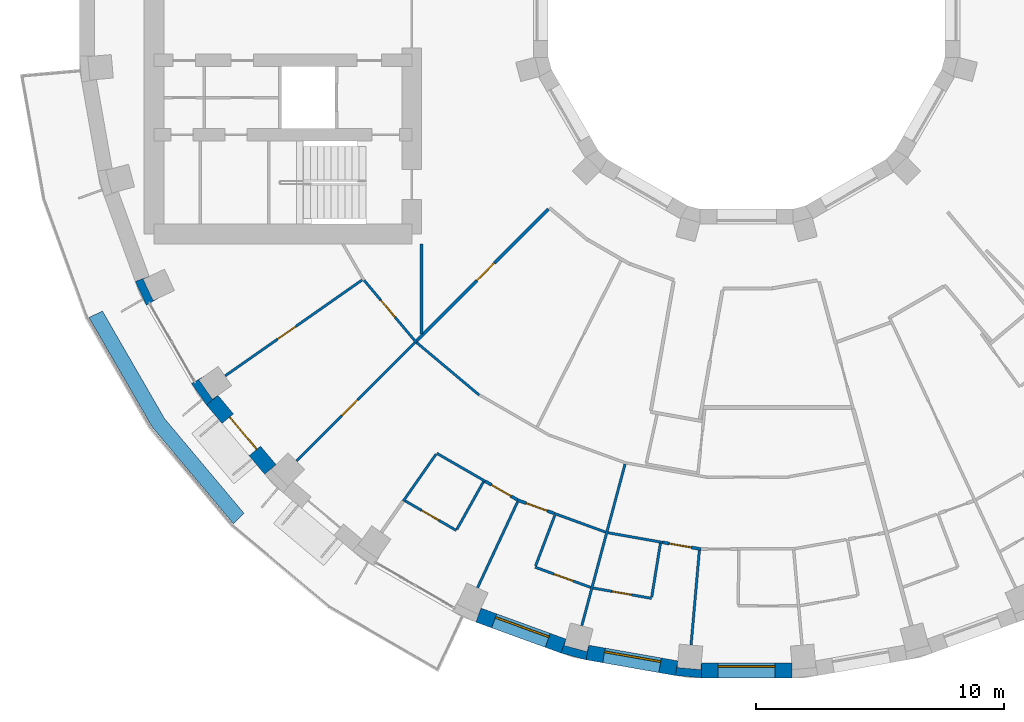
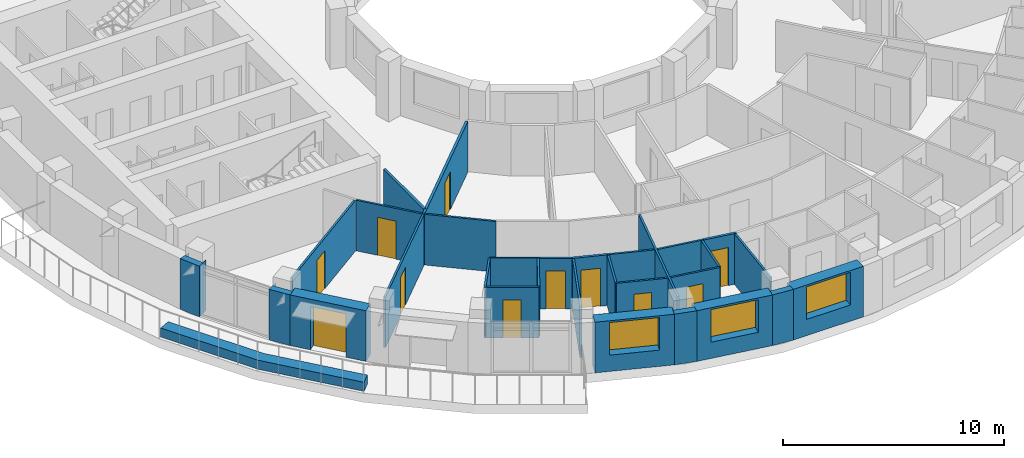
# One storey, part 4 of 16: 31 walls, 11 doors, 3 windows, 14 openings.
"""IFC4 building model written with IfcOpenShell, lengths in metres."""

from ifc_helpers import new_model, si_unit, direction, frame, frame_2d, origin, place, context, subcontext, project, spatial, polyline, rectangle, outline, extrude, material, layer, layer_set, type_object, element, fill, save


model = new_model("IFC4")

# Units and contexts
model_context = context("Model", 3, precision=1e-05, world=origin(), true_north=direction((0.0, 1.0)))
body_context = subcontext(model_context, "Body", "Model", "MODEL_VIEW")
ifc_project = project(units=[si_unit("LENGTHUNIT", "METRE"), si_unit("AREAUNIT", "SQUARE_METRE"), si_unit("VOLUMEUNIT", "CUBIC_METRE"), si_unit("PLANEANGLEUNIT", "RADIAN"), si_unit("MASSUNIT", "GRAM", prefix="KILO")], contexts=[model_context])

# Site, building, storey
site_placement = place(None, origin())
site = spatial("IfcSite", under=ifc_project, at=site_placement, CompositionType="ELEMENT")
building_placement = place(site_placement, origin())
building = spatial("IfcBuilding", under=site, at=building_placement, Name="Saqina Gate Tower", CompositionType="ELEMENT")
storey_placement = place(building_placement, frame((0.0, 0.0, 124.89990234375)))
storey = spatial("IfcBuildingStorey", under=building, at=storey_placement, Name="L35", CompositionType="ELEMENT", Elevation=124.89990234375)

# Walls
ifc_material_1 = material(Name="Brick masonry (buff)", Category="masonry")
wall_type_1 = type_object("IfcWallType", Name="BRICK PIER COPING BUFF", PredefinedType="SOLIDWALL", material=ifc_material_1)
wall_1_placement = place(storey_placement, origin())
element("IfcWall", 1, at=wall_1_placement, inside=storey, type_object=wall_type_1, Name="Pier cap L35 column 21", PredefinedType="SOLIDWALL", context=body_context, shape_type="SweptSolid", body=[
    extrude(outline(polyline([(-24.6513671875, -10.913330078125), (-24.205810546875, -11.869140625), (-23.68603515625, -11.569091796875), (-23.9296875, -11.6826171875), (-24.331298828125, -10.82177734375), (-24.08740234375, -10.7080078125), (-24.6513671875, -10.913330078125)])), origin(), (0.0, 0.0, 1.0), 2.800048828125),
])
wall_2_placement = place(storey_placement, origin())
element("IfcWall", 2, at=wall_2_placement, inside=storey, type_object=wall_type_1, Name="Pier cap L35 column 22", PredefinedType="SOLIDWALL", context=body_context, shape_type="SweptSolid", body=[
    extrude(outline(polyline([(-21.77685546875, -15.89208984375), (-21.317138671875, -15.50634765625), (-21.53759765625, -15.66064453125), (-22.08251953125, -14.88232421875), (-21.862060546875, -14.728271484375), (-22.3818359375, -15.0283203125), (-21.77685546875, -15.89208984375)])), origin(), (0.0, 0.0, 1.0), 2.800048828125),
])
wall_3_placement = place(storey_placement, origin())
element("IfcWall", 3, at=wall_3_placement, inside=storey, type_object=wall_type_1, Name="Pier cap L35 column 26", PredefinedType="SOLIDWALL", context=body_context, shape_type="SweptSolid", body=[
    extrude(outline(polyline([(-7.485595703125, -25.89892578125), (-6.466796875, -26.171875), (-6.36279296875, -25.5810546875), (-6.43212890625, -25.8408203125), (-7.349853515625, -25.5947265625), (-7.2802734375, -25.335205078125), (-7.485595703125, -25.89892578125)])), origin(), (0.0, 0.0, 1.0), 2.800048828125),
])
wall_4_placement = place(storey_placement, origin())
element("IfcWall", 4, at=wall_4_placement, inside=storey, type_object=wall_type_1, Name="Pier cap L35 column 27", PredefinedType="SOLIDWALL", context=body_context, shape_type="SweptSolid", body=[
    extrude(outline(polyline([(-2.87451171875, -26.805419921875), (-1.823974609375, -26.897216796875), (-1.823974609375, -26.29736328125), (-1.847412109375, -26.565185546875), (-2.793701171875, -26.482421875), (-2.770263671875, -26.214599609375), (-2.87451171875, -26.805419921875)])), origin(), (0.0, 0.0, 1.0), 2.800048828125),
])

# Wall, opening, door
ifc_material_2 = material(Name="Brick masonry (buff)", Category="masonry")
ifc_layer_1 = layer(ifc_material_2, 0.60009765625)
ifc_layer_set_1 = layer_set([ifc_layer_1], Name="FW-BRICK-BUFF")
wall_type_2 = type_object("IfcWallType", Name="FW-BRICK-BUFF", PredefinedType="SOLIDWALL", material=ifc_layer_set_1)
wall_5_placement = place(storey_placement, frame((-21.547119140625, -15.69921875, 0.0), z_axis=(0.0, 0.0, 1.0), x_axis=(0.642774476932, -0.766055462616, 0.0)))
wall_5 = element("IfcWall", 5, at=wall_5_placement, inside=storey, type_object=wall_type_2, Name="Facade wall L35 facet 22", PredefinedType="SOLIDWALL", context=body_context, shape_type="SweptSolid", body=[
    extrude(rectangle(XDim=3.647705078125, YDim=0.60009765625, at=frame_2d((1.82373046875, 0.0))), origin(), (0.0, 0.0, 1.0), 2.800048828125),
])
opening_1_placement = place(wall_5_placement, frame((0.973876953125, 0.0, 0.0)))
opening_1 = element("IfcOpeningElement", 6, at=opening_1_placement, cuts=wall_5, Name="Opening G10-D80", PredefinedType="OPENING", context=body_context, shape_type="SweptSolid", body=[
    extrude(rectangle(XDim=1.699951171875, YDim=2.39990234375, at=frame_2d((0.85009765625, 1.199951171875))), frame((0.0, 0.31201171875, 0.0), z_axis=(0.0, -1.0, 0.0), x_axis=(1.0, 0.0, 0.0)), (0.0, 0.0, 1.0), 0.6240234375),
])
ifc_material_3 = material(Name="Aluminium glazing", Category="aluminium")
door_type_1 = type_object("IfcDoorType", Name="GD-B", OperationType="DOUBLE_DOOR_SINGLE_SWING", PredefinedType="DOOR", material=ifc_material_3)
door_1_placement = place(opening_1_placement, frame((1.699951171875, 0.0, 0.0), z_axis=(0.0, 0.0, 1.0), x_axis=(-1.0, 0.0, 0.0)))
door_1 = element("IfcDoor", 7, at=door_1_placement, inside=storey, type_object=door_type_1, Name="Terrace door L35 facet 22", OperationType="DOUBLE_DOOR_SINGLE_SWING", OverallHeight=2.39990234375, OverallWidth=1.699951171875, PredefinedType="DOOR", context=body_context, shape_type="SweptSolid", body=[
    extrude(rectangle(XDim=1.699951171875, YDim=2.39990234375, at=frame_2d((0.85009765625, 1.199951171875))), frame((0.0, -0.0751953125, 0.0), z_axis=(0.0, -1.0, 0.0), x_axis=(1.0, 0.0, 0.0)), (0.0, 0.0, 1.0), 0.050048828125),
])
fill(opening_1, door_1)

# Wall, opening, window
wall_6_placement = place(storey_placement, frame((-10.810791015625, -24.369384765625, 0.0), z_axis=(0.0, 0.0, 1.0), x_axis=(0.939703505393, -0.341990236633, 0.0)))
wall_6 = element("IfcWall", 8, at=wall_6_placement, inside=storey, type_object=wall_type_2, Name="Facade wall L35 facet 25", PredefinedType="SOLIDWALL", context=body_context, shape_type="SweptSolid", body=[
    extrude(rectangle(XDim=3.64794921875, YDim=0.60009765625, at=frame_2d((1.823974609375, 0.0))), origin(), (0.0, 0.0, 1.0), 2.800048828125),
])
opening_2_placement = place(wall_6_placement, frame((0.673828125, 0.0, 0.89990234375)))
opening_2 = element("IfcOpeningElement", 9, at=opening_2_placement, cuts=wall_6, Name="Opening G10-W14", PredefinedType="OPENING", context=body_context, shape_type="SweptSolid", body=[
    extrude(rectangle(XDim=2.300048828125, YDim=1.800048828125, at=frame_2d((1.14990234375, 0.89990234375))), frame((0.0, 0.31201171875, 0.0), z_axis=(0.0, -1.0, 0.0), x_axis=(1.0, 0.0, 0.0)), (0.0, 0.0, 1.0), 0.6240234375),
])
ifc_material_4 = material(Name="Aluminium glazing", Category="aluminium")
window_type = type_object("IfcWindowType", Name="WN-B", PartitioningType="SINGLE_PANEL", PredefinedType="WINDOW", material=ifc_material_4)
window_1_placement = place(opening_2_placement, origin())
window_1 = element("IfcWindow", 10, at=window_1_placement, inside=storey, type_object=window_type, Name="Window L35 facet 25", OverallHeight=1.800048828125, OverallWidth=2.300048828125, PartitioningType="SINGLE_PANEL", PredefinedType="WINDOW", context=body_context, shape_type="SweptSolid", body=[
    extrude(rectangle(XDim=2.300048828125, YDim=1.800048828125, at=frame_2d((1.14990234375, 0.89990234375))), frame((0.0, 0.179931640625, 0.0), z_axis=(0.0, -1.0, 0.0), x_axis=(1.0, 0.0, 0.0)), (0.0, 0.0, 1.0), 0.06005859375),
])
fill(opening_2, window_1)

wall_7_placement = place(storey_placement, frame((-6.414794921875, -25.87646484375, 0.0), z_axis=(0.0, 0.0, 1.0), x_axis=(0.984803764455, -0.173670796382, 0.0)))
wall_7 = element("IfcWall", 11, at=wall_7_placement, inside=storey, type_object=wall_type_2, Name="Facade wall L35 facet 26", PredefinedType="SOLIDWALL", context=body_context, shape_type="SweptSolid", body=[
    extrude(rectangle(XDim=3.64794921875, YDim=0.60009765625, at=frame_2d((1.823974609375, 0.0))), origin(), (0.0, 0.0, 1.0), 2.800048828125),
])
opening_3_placement = place(wall_7_placement, frame((0.673828125, 0.0, 0.89990234375)))
opening_3 = element("IfcOpeningElement", 12, at=opening_3_placement, cuts=wall_7, Name="Opening G10-W15", PredefinedType="OPENING", context=body_context, shape_type="SweptSolid", body=[
    extrude(rectangle(XDim=2.300048828125, YDim=1.800048828125, at=frame_2d((1.14990234375, 0.89990234375))), frame((0.0, 0.31201171875, 0.0), z_axis=(0.0, -1.0, 0.0), x_axis=(1.0, 0.0, 0.0)), (0.0, 0.0, 1.0), 0.6240234375),
])
window_2_placement = place(opening_3_placement, origin())
window_2 = element("IfcWindow", 13, at=window_2_placement, inside=storey, type_object=window_type, Name="Window L35 facet 26", OverallHeight=1.800048828125, OverallWidth=2.300048828125, PartitioningType="SINGLE_PANEL", PredefinedType="WINDOW", context=body_context, shape_type="SweptSolid", body=[
    extrude(rectangle(XDim=2.300048828125, YDim=1.800048828125, at=frame_2d((1.14990234375, 0.89990234375))), frame((0.0, 0.179931640625, 0.0), z_axis=(0.0, -1.0, 0.0), x_axis=(1.0, 0.0, 0.0)), (0.0, 0.0, 1.0), 0.06005859375),
])
fill(opening_3, window_2)

wall_8_placement = place(storey_placement, frame((-1.823974609375, -26.59716796875, 0.0), z_axis=(0.0, 0.0, 1.0), x_axis=(1.0, 0.0, 0.0)))
wall_8 = element("IfcWall", 14, at=wall_8_placement, inside=storey, type_object=wall_type_2, Name="Facade wall L35 facet 27", PredefinedType="SOLIDWALL", context=body_context, shape_type="SweptSolid", body=[
    extrude(rectangle(XDim=3.64794921875, YDim=0.60009765625, at=frame_2d((1.823974609375, 0.0))), origin(), (0.0, 0.0, 1.0), 2.800048828125),
])
opening_4_placement = place(wall_8_placement, frame((0.673828125, 0.0, 0.89990234375)))
opening_4 = element("IfcOpeningElement", 15, at=opening_4_placement, cuts=wall_8, Name="Opening G10-W16", PredefinedType="OPENING", context=body_context, shape_type="SweptSolid", body=[
    extrude(rectangle(XDim=2.300048828125, YDim=1.800048828125, at=frame_2d((1.14990234375, 0.89990234375))), frame((0.0, 0.31201171875, 0.0), z_axis=(0.0, -1.0, 0.0), x_axis=(1.0, 0.0, 0.0)), (0.0, 0.0, 1.0), 0.6240234375),
])
window_3_placement = place(opening_4_placement, origin())
window_3 = element("IfcWindow", 16, at=window_3_placement, inside=storey, type_object=window_type, Name="Window L35 facet 27", OverallHeight=1.800048828125, OverallWidth=2.300048828125, PartitioningType="SINGLE_PANEL", PredefinedType="WINDOW", context=body_context, shape_type="SweptSolid", body=[
    extrude(rectangle(XDim=2.300048828125, YDim=1.800048828125, at=frame_2d((1.14990234375, 0.89990234375))), frame((0.0, 0.179931640625, 0.0), z_axis=(0.0, -1.0, 0.0), x_axis=(1.0, 0.0, 0.0)), (0.0, 0.0, 1.0), 0.06005859375),
])
fill(opening_4, window_3)

# Wall, opening, door
ifc_material_5 = material(Name="Gypsum board on steel studs, 100 mm", Category="steel")
ifc_layer_2 = layer(ifc_material_5, 0.10009765625)
ifc_layer_set_2 = layer_set([ifc_layer_2], Name="PARTITION 100")
wall_type_3 = type_object("IfcWallType", Name="PARTITION 100", PredefinedType="PARTITIONING", material=ifc_layer_set_2)
wall_9_placement = place(storey_placement, frame((-15.42578125, -10.8623046875, 0.0), z_axis=(0.0, 0.0, 1.0), x_axis=(0.642706409745, -0.766112570627, 0.0)))
wall_9 = element("IfcWall", 17, at=wall_9_placement, inside=storey, type_object=wall_type_3, Name="PARTITION PW3-21", PredefinedType="PARTITIONING", context=body_context, shape_type="SweptSolid", body=[
    extrude(rectangle(XDim=3.2900390625, YDim=0.10009765625, at=frame_2d((1.64501953125, 0.0))), origin(), (0.0, 0.0, 1.0), 2.800048828125),
])
opening_5_placement = place(wall_9_placement, frame((1.044677734375, 0.0, 0.0)))
opening_5 = element("IfcOpeningElement", 18, at=opening_5_placement, cuts=wall_9, Name="Opening G10-D30", PredefinedType="OPENING", context=body_context, shape_type="SweptSolid", body=[
    extrude(rectangle(XDim=0.89990234375, YDim=2.10009765625, at=frame_2d((0.449951171875, 1.050048828125))), frame((0.0, 0.06201171875, 0.0), z_axis=(0.0, -1.0, 0.0), x_axis=(1.0, 0.0, 0.0)), (0.0, 0.0, 1.0), 0.1240234375),
])
ifc_material_6 = material(Name="Timber door leaf, 900 mm", Category="wood")
door_type_2 = type_object("IfcDoorType", Name="DOOR 900 TIMBER", OperationType="SINGLE_SWING_LEFT", PredefinedType="DOOR", material=ifc_material_6)
door_2_placement = place(opening_5_placement, origin())
door_2 = element("IfcDoor", 19, at=door_2_placement, inside=storey, type_object=door_type_2, Name="DOOR G10-D30", OperationType="SINGLE_SWING_RIGHT", OverallHeight=2.10009765625, OverallWidth=0.89990234375, PredefinedType="DOOR", context=body_context, shape_type="SweptSolid", body=[
    extrude(rectangle(XDim=0.89990234375, YDim=2.10009765625, at=frame_2d((0.449951171875, 1.050048828125))), frame((0.0, 0.02490234375, 0.0), z_axis=(0.0, -1.0, 0.0), x_axis=(1.0, 0.0, 0.0)), (0.0, 0.0, 1.0), 0.050048828125),
])
fill(opening_5, door_2)

# Wall
wall_10_placement = place(storey_placement, frame((-13.3056640625, -13.376220703125, 0.0), z_axis=(0.0, 0.0, 1.0), x_axis=(0.766112570627, -0.642706409745, 0.0)))
element("IfcWall", 20, at=wall_10_placement, inside=storey, type_object=wall_type_3, Name="PARTITION PW3-28", PredefinedType="PARTITIONING", context=body_context, shape_type="SweptSolid", body=[
    extrude(rectangle(XDim=3.2900390625, YDim=0.10009765625, at=frame_2d((1.64501953125, 0.0))), origin(), (0.0, 0.0, 1.0), 2.800048828125),
])

# Wall, opening, door
wall_11_placement = place(storey_placement, frame((-13.771728515625, -19.758056640625, 0.0), z_axis=(0.0, 0.0, 1.0), x_axis=(0.865904457458, -0.500209426695, 0.0)))
wall_11 = element("IfcWall", 21, at=wall_11_placement, inside=storey, type_object=wall_type_3, Name="PARTITION PW3-32", PredefinedType="PARTITIONING", context=body_context, shape_type="SweptSolid", body=[
    extrude(rectangle(XDim=2.38671875, YDim=0.10009765625, at=frame_2d((1.193359375, 0.0))), origin(), (0.0, 0.0, 1.0), 2.800048828125),
])
opening_6_placement = place(wall_11_placement, frame((0.767333984375, 0.0, 0.0)))
opening_6 = element("IfcOpeningElement", 22, at=opening_6_placement, cuts=wall_11, Name="Opening G10-D33", PredefinedType="OPENING", context=body_context, shape_type="SweptSolid", body=[
    extrude(rectangle(XDim=0.800048828125, YDim=2.10009765625, at=frame_2d((0.39990234375, 1.050048828125))), frame((0.0, 0.06201171875, 0.0), z_axis=(0.0, -1.0, 0.0), x_axis=(1.0, 0.0, 0.0)), (0.0, 0.0, 1.0), 0.1240234375),
])
ifc_material_7 = material(Name="Timber door leaf, 800 mm", Category="wood")
door_type_3 = type_object("IfcDoorType", Name="DOOR 800 TIMBER", OperationType="SINGLE_SWING_LEFT", PredefinedType="DOOR", material=ifc_material_7)
door_3_placement = place(opening_6_placement, frame((0.800048828125, 0.0, 0.0), z_axis=(0.0, 0.0, 1.0), x_axis=(-1.0, 0.0, 0.0)))
door_3 = element("IfcDoor", 23, at=door_3_placement, inside=storey, type_object=door_type_3, Name="DOOR G10-D33", OperationType="SINGLE_SWING_RIGHT", OverallHeight=2.10009765625, OverallWidth=0.800048828125, PredefinedType="DOOR", context=body_context, shape_type="SweptSolid", body=[
    extrude(rectangle(XDim=0.800048828125, YDim=2.10009765625, at=frame_2d((0.39990234375, 1.050048828125))), frame((0.0, 0.02490234375, 0.0), z_axis=(0.0, -1.0, 0.0), x_axis=(1.0, 0.0, 0.0)), (0.0, 0.0, 1.0), 0.050048828125),
])
fill(opening_6, door_3)

# Wall
wall_12_placement = place(storey_placement, frame((-12.489501953125, -17.843017578125, 0.0), z_axis=(0.0, 0.0, 1.0), x_axis=(0.865965261283, -0.500104155402, 0.0)))
element("IfcWall", 24, at=wall_12_placement, inside=storey, type_object=wall_type_3, Name="PARTITION PW3-33", PredefinedType="PARTITIONING", context=body_context, shape_type="SweptSolid", body=[
    extrude(rectangle(XDim=2.25146484375, YDim=0.10009765625, at=frame_2d((1.125732421875, 0.0))), origin(), (0.0, 0.0, 1.0), 2.800048828125),
])

# Wall, opening, door
wall_13_placement = place(storey_placement, frame((-8.52587890625, -22.43408203125, 0.0), z_axis=(0.0, 0.0, 1.0), x_axis=(0.939667988297, -0.342087812952, 0.0)))
wall_13 = element("IfcWall", 25, at=wall_13_placement, inside=storey, type_object=wall_type_3, Name="PARTITION PW3-40", PredefinedType="PARTITIONING", context=body_context, shape_type="SweptSolid", body=[
    extrude(rectangle(XDim=2.387939453125, YDim=0.10009765625, at=frame_2d((1.19384765625, 0.0))), origin(), (0.0, 0.0, 1.0), 2.800048828125),
])
opening_7_placement = place(wall_13_placement, frame((0.819091796875, 0.0, 0.0)))
opening_7 = element("IfcOpeningElement", 26, at=opening_7_placement, cuts=wall_13, Name="Opening G10-D37", PredefinedType="OPENING", context=body_context, shape_type="SweptSolid", body=[
    extrude(rectangle(XDim=0.800048828125, YDim=2.10009765625, at=frame_2d((0.39990234375, 1.050048828125))), frame((0.0, 0.06201171875, 0.0), z_axis=(0.0, -1.0, 0.0), x_axis=(1.0, 0.0, 0.0)), (0.0, 0.0, 1.0), 0.1240234375),
])
door_4_placement = place(opening_7_placement, frame((0.800048828125, 0.0, 0.0), z_axis=(0.0, 0.0, 1.0), x_axis=(-1.0, 0.0, 0.0)))
door_4 = element("IfcDoor", 27, at=door_4_placement, inside=storey, type_object=door_type_3, Name="DOOR G10-D37", OperationType="SINGLE_SWING_LEFT", OverallHeight=2.10009765625, OverallWidth=0.800048828125, PredefinedType="DOOR", context=body_context, shape_type="SweptSolid", body=[
    extrude(rectangle(XDim=0.800048828125, YDim=2.10009765625, at=frame_2d((0.39990234375, 1.050048828125))), frame((0.0, 0.02490234375, 0.0), z_axis=(0.0, -1.0, 0.0), x_axis=(1.0, 0.0, 0.0)), (0.0, 0.0, 1.0), 0.050048828125),
])
fill(opening_7, door_4)

# Wall
wall_14_placement = place(storey_placement, frame((-7.756103515625, -20.26708984375, 0.0), z_axis=(0.0, 0.0, 1.0), x_axis=(0.939728749343, -0.341920864613, 0.0)))
element("IfcWall", 28, at=wall_14_placement, inside=storey, type_object=wall_type_3, Name="PARTITION PW3-41", PredefinedType="PARTITIONING", context=body_context, shape_type="SweptSolid", body=[
    extrude(rectangle(XDim=2.204833984375, YDim=0.10009765625, at=frame_2d((1.1025390625, 0.0))), origin(), (0.0, 0.0, 1.0), 2.800048828125),
])

# Wall, opening, door
wall_15_placement = place(storey_placement, frame((-6.185791015625, -23.276611328125, 0.0), z_axis=(0.0, 0.0, 1.0), x_axis=(0.98477738582, -0.173820310603, 0.0)))
wall_15 = element("IfcWall", 29, at=wall_15_placement, inside=storey, type_object=wall_type_3, Name="PARTITION PW3-45", PredefinedType="PARTITIONING", context=body_context, shape_type="SweptSolid", body=[
    extrude(rectangle(XDim=2.38916015625, YDim=0.10009765625, at=frame_2d((1.194580078125, 0.0))), origin(), (0.0, 0.0, 1.0), 2.800048828125),
])
opening_8_placement = place(wall_15_placement, frame((0.76953125, 0.0, 0.0)))
opening_8 = element("IfcOpeningElement", 30, at=opening_8_placement, cuts=wall_15, Name="Opening G10-D38", PredefinedType="OPENING", context=body_context, shape_type="SweptSolid", body=[
    extrude(rectangle(XDim=0.800048828125, YDim=2.10009765625, at=frame_2d((0.39990234375, 1.050048828125))), frame((0.0, 0.06201171875, 0.0), z_axis=(0.0, -1.0, 0.0), x_axis=(1.0, 0.0, 0.0)), (0.0, 0.0, 1.0), 0.1240234375),
])
door_5_placement = place(opening_8_placement, frame((0.800048828125, 0.0, 0.0), z_axis=(0.0, 0.0, 1.0), x_axis=(-1.0, 0.0, 0.0)))
door_5 = element("IfcDoor", 31, at=door_5_placement, inside=storey, type_object=door_type_3, Name="DOOR G10-D38", OperationType="SINGLE_SWING_RIGHT", OverallHeight=2.10009765625, OverallWidth=0.800048828125, PredefinedType="DOOR", context=body_context, shape_type="SweptSolid", body=[
    extrude(rectangle(XDim=0.800048828125, YDim=2.10009765625, at=frame_2d((0.39990234375, 1.050048828125))), frame((0.0, 0.02490234375, 0.0), z_axis=(0.0, -1.0, 0.0), x_axis=(1.0, 0.0, 0.0)), (0.0, 0.0, 1.0), 0.050048828125),
])
fill(opening_8, door_5)

# Wall
wall_16_placement = place(storey_placement, frame((-5.587646484375, -21.046630859375, 0.0), z_axis=(0.0, 0.0, 1.0), x_axis=(0.984792363165, -0.173735435225, 0.0)))
element("IfcWall", 32, at=wall_16_placement, inside=storey, type_object=wall_type_3, Name="PARTITION PW3-46", PredefinedType="PARTITIONING", context=body_context, shape_type="SweptSolid", body=[
    extrude(rectangle(XDim=2.23291015625, YDim=0.10009765625, at=frame_2d((1.116455078125, 0.0))), origin(), (0.0, 0.0, 1.0), 2.800048828125),
])

# Wall, opening, door
wall_17_placement = place(storey_placement, frame((-21.02392578125, -14.720458984375, 0.0), z_axis=(0.0, 0.0, 1.0), x_axis=(0.819214913262, 0.573486639678, 0.0)))
wall_17 = element("IfcWall", 33, at=wall_17_placement, inside=storey, type_object=wall_type_3, Name="PARTITION PW3-76", PredefinedType="PARTITIONING", context=body_context, shape_type="SweptSolid", body=[
    extrude(rectangle(XDim=6.744140625, YDim=0.10009765625, at=frame_2d((3.3720703125, 0.0))), origin(), (0.0, 0.0, 1.0), 2.800048828125),
])
opening_9_placement = place(wall_17_placement, frame((2.57958984375, 0.0, 0.0)))
opening_9 = element("IfcOpeningElement", 34, at=opening_9_placement, cuts=wall_17, Name="Opening G10-D29", PredefinedType="OPENING", context=body_context, shape_type="SweptSolid", body=[
    extrude(rectangle(XDim=0.89990234375, YDim=2.10009765625, at=frame_2d((0.449951171875, 1.050048828125))), frame((0.0, 0.06201171875, 0.0), z_axis=(0.0, -1.0, 0.0), x_axis=(1.0, 0.0, 0.0)), (0.0, 0.0, 1.0), 0.1240234375),
])
door_6_placement = place(opening_9_placement, origin())
door_6 = element("IfcDoor", 35, at=door_6_placement, inside=storey, type_object=door_type_2, Name="DOOR G10-D29", OperationType="SINGLE_SWING_LEFT", OverallHeight=2.10009765625, OverallWidth=0.89990234375, PredefinedType="DOOR", context=body_context, shape_type="SweptSolid", body=[
    extrude(rectangle(XDim=0.89990234375, YDim=2.10009765625, at=frame_2d((0.449951171875, 1.050048828125))), frame((0.0, 0.02490234375, 0.0), z_axis=(0.0, -1.0, 0.0), x_axis=(1.0, 0.0, 0.0)), (0.0, 0.0, 1.0), 0.050048828125),
])
fill(opening_9, door_6)

wall_18_placement = place(storey_placement, frame((-18.14794921875, -18.14794921875, 0.0), z_axis=(0.0, 0.0, 1.0), x_axis=(0.707106781187, 0.707106781187, 0.0)))
wall_18 = element("IfcWall", 36, at=wall_18_placement, inside=storey, type_object=wall_type_3, Name="PARTITION PW3-82", PredefinedType="PARTITIONING", context=body_context, shape_type="SweptSolid", body=[
    extrude(rectangle(XDim=6.74365234375, YDim=0.10009765625, at=frame_2d((3.371826171875, 0.0))), origin(), (0.0, 0.0, 1.0), 2.800048828125),
])
opening_10_placement = place(wall_18_placement, frame((2.579833984375, 0.0, 0.0)))
opening_10 = element("IfcOpeningElement", 37, at=opening_10_placement, cuts=wall_18, Name="Opening G10-D32", PredefinedType="OPENING", context=body_context, shape_type="SweptSolid", body=[
    extrude(rectangle(XDim=0.89990234375, YDim=2.10009765625, at=frame_2d((0.449951171875, 1.050048828125))), frame((0.0, 0.06201171875, 0.0), z_axis=(0.0, -1.0, 0.0), x_axis=(1.0, 0.0, 0.0)), (0.0, 0.0, 1.0), 0.1240234375),
])
door_7_placement = place(opening_10_placement, frame((0.89990234375, 0.0, 0.0), z_axis=(0.0, 0.0, 1.0), x_axis=(-1.0, 0.0, 0.0)))
door_7 = element("IfcDoor", 38, at=door_7_placement, inside=storey, type_object=door_type_2, Name="DOOR G10-D32", OperationType="SINGLE_SWING_RIGHT", OverallHeight=2.10009765625, OverallWidth=0.89990234375, PredefinedType="DOOR", context=body_context, shape_type="SweptSolid", body=[
    extrude(rectangle(XDim=0.89990234375, YDim=2.10009765625, at=frame_2d((0.449951171875, 1.050048828125))), frame((0.0, 0.02490234375, 0.0), z_axis=(0.0, -1.0, 0.0), x_axis=(1.0, 0.0, 0.0)), (0.0, 0.0, 1.0), 0.050048828125),
])
fill(opening_10, door_7)

# Walls
wall_19_placement = place(storey_placement, frame((-13.845458984375, -19.772705078125, 0.0), z_axis=(0.0, 0.0, 1.0), x_axis=(0.573426847585, 0.819256767118, 0.0)))
element("IfcWall", 39, at=wall_19_placement, inside=storey, type_object=wall_type_3, Name="PARTITION PW3-90", PredefinedType="PARTITIONING", context=body_context, shape_type="SweptSolid", body=[
    extrude(rectangle(XDim=2.30810546875, YDim=0.10009765625, at=frame_2d((1.154052734375, 0.0))), origin(), (0.0, 0.0, 1.0), 2.800048828125),
])
wall_20_placement = place(storey_placement, frame((-11.6806640625, -20.908447265625, 0.0), z_axis=(0.0, 0.0, 1.0), x_axis=(0.487751726738, 0.872982389894, 0.0)))
element("IfcWall", 40, at=wall_20_placement, inside=storey, type_object=wall_type_3, Name="PARTITION PW3-94", PredefinedType="PARTITIONING", context=body_context, shape_type="SweptSolid", body=[
    extrude(rectangle(XDim=2.200439453125, YDim=0.10009765625, at=frame_2d((1.10009765625, 0.0))), origin(), (0.0, 0.0, 1.0), 2.800048828125),
])
wall_21_placement = place(storey_placement, frame((-10.846435546875, -23.26025390625, 0.0), z_axis=(0.0, 0.0, 1.0), x_axis=(0.422591670658, 0.906320186187, 0.0)))
element("IfcWall", 41, at=wall_21_placement, inside=storey, type_object=wall_type_3, Name="PARTITION PW3-97", PredefinedType="PARTITIONING", context=body_context, shape_type="SweptSolid", body=[
    extrude(rectangle(XDim=3.821533203125, YDim=0.10009765625, at=frame_2d((1.91064453125, 0.0))), origin(), (0.0, 0.0, 1.0), 2.800048828125),
])
wall_22_placement = place(storey_placement, frame((-8.50830078125, -22.38720703125, 0.0), z_axis=(0.0, 0.0, 1.0), x_axis=(0.355303594793, 0.934750959094, 0.0)))
element("IfcWall", 42, at=wall_22_placement, inside=storey, type_object=wall_type_3, Name="PARTITION PW3-99", PredefinedType="PARTITIONING", context=body_context, shape_type="SweptSolid", body=[
    extrude(rectangle(XDim=2.187255859375, YDim=0.10009765625, at=frame_2d((1.09375, 0.0))), origin(), (0.0, 0.0, 1.0), 2.800048828125),
])
wall_23_placement = place(storey_placement, frame((-6.642578125, -24.79052734375, 0.0), z_axis=(0.0, 0.0, 1.0), x_axis=(0.258550301946, 0.965997795734, 0.0)))
element("IfcWall", 43, at=wall_23_placement, inside=storey, type_object=wall_type_3, Name="PARTITION PW3-101", PredefinedType="PARTITIONING", context=body_context, shape_type="SweptSolid", body=[
    extrude(rectangle(XDim=6.743896484375, YDim=0.10009765625, at=frame_2d((3.3720703125, 0.0))), origin(), (0.0, 0.0, 1.0), 2.800048828125),
])
wall_24_placement = place(storey_placement, frame((-3.824951171875, -23.642578125, 0.0), z_axis=(0.0, 0.0, 1.0), x_axis=(0.159556862709, 0.987188739585, 0.0)))
element("IfcWall", 44, at=wall_24_placement, inside=storey, type_object=wall_type_3, Name="PARTITION PW3-104", PredefinedType="PARTITIONING", context=body_context, shape_type="SweptSolid", body=[
    extrude(rectangle(XDim=2.2001953125, YDim=0.10009765625, at=frame_2d((1.10009765625, 0.0))), origin(), (0.0, 0.0, 1.0), 2.800048828125),
])
wall_25_placement = place(storey_placement, frame((-2.237060546875, -25.5673828125, 0.0), z_axis=(0.0, 0.0, 1.0), x_axis=(0.087368181188, 0.996176089311, 0.0)))
element("IfcWall", 45, at=wall_25_placement, inside=storey, type_object=wall_type_3, Name="PARTITION PW3-107", PredefinedType="PARTITIONING", context=body_context, shape_type="SweptSolid", body=[
    extrude(rectangle(XDim=3.82275390625, YDim=0.10009765625, at=frame_2d((1.911376953125, 0.0))), origin(), (0.0, 0.0, 1.0), 2.800048828125),
])

# Wall, opening, door
ifc_material_8 = material(Name="Gypsum board on steel studs, 125 mm, fire rated", Category="steel")
ifc_layer_3 = layer(ifc_material_8, 0.125)
ifc_layer_set_3 = layer_set([ifc_layer_3], Name="PARTITION EI 30 125")
wall_type_4 = type_object("IfcWallType", Name="PARTITION EI 30 125", PredefinedType="PARTITIONING", material=ifc_layer_set_3)
wall_26_placement = place(storey_placement, frame((-10.539794921875, -18.968994140625, 0.0), z_axis=(0.0, 0.0, 1.0), x_axis=(0.865896584481, -0.500223055231, 0.0)))
wall_26 = element("IfcWall", 46, at=wall_26_placement, inside=storey, type_object=wall_type_4, Name="PARTITION PW1-15", PredefinedType="PARTITIONING", context=body_context, shape_type="SweptSolid", body=[
    extrude(rectangle(XDim=1.491455078125, YDim=0.125, at=frame_2d((0.74560546875, 0.0))), origin(), (0.0, 0.0, 1.0), 2.800048828125),
])
opening_11_placement = place(wall_26_placement, frame((0.295654296875, 0.0, 0.0)))
opening_11 = element("IfcOpeningElement", 47, at=opening_11_placement, cuts=wall_26, Name="Opening G10-D34", PredefinedType="OPENING", context=body_context, shape_type="SweptSolid", body=[
    extrude(rectangle(XDim=0.89990234375, YDim=2.10009765625, at=frame_2d((0.449951171875, 1.050048828125))), frame((0.0, 0.074462890625, 0.0), z_axis=(0.0, -1.0, 0.0), x_axis=(1.0, 0.0, 0.0)), (0.0, 0.0, 1.0), 0.14892578125),
])
ifc_material_9 = material(Name="Fire door leaf EI 30, 900 mm")
door_type_4 = type_object("IfcDoorType", Name="DOOR 900 EI 30", OperationType="SINGLE_SWING_LEFT", PredefinedType="DOOR", material=ifc_material_9)
door_8_placement = place(opening_11_placement, origin())
door_8 = element("IfcDoor", 48, at=door_8_placement, inside=storey, type_object=door_type_4, Name="DOOR G10-D34", OperationType="SINGLE_SWING_RIGHT", OverallHeight=2.10009765625, OverallWidth=0.89990234375, PredefinedType="DOOR", context=body_context, shape_type="SweptSolid", body=[
    extrude(rectangle(XDim=0.89990234375, YDim=2.10009765625, at=frame_2d((0.449951171875, 1.050048828125))), frame((0.0, 0.02490234375, 0.0), z_axis=(0.0, -1.0, 0.0), x_axis=(1.0, 0.0, 0.0)), (0.0, 0.0, 1.0), 0.050048828125),
])
fill(opening_11, door_8)

wall_27_placement = place(storey_placement, frame((-9.252685546875, -19.72265625, 0.0), z_axis=(0.0, 0.0, 1.0), x_axis=(0.939797899648, -0.341730753396, 0.0)))
wall_27 = element("IfcWall", 49, at=wall_27_placement, inside=storey, type_object=wall_type_4, Name="PARTITION PW1-20", PredefinedType="PARTITIONING", context=body_context, shape_type="SweptSolid", body=[
    extrude(rectangle(XDim=1.592529296875, YDim=0.125, at=frame_2d((0.79638671875, 0.0))), origin(), (0.0, 0.0, 1.0), 2.800048828125),
])
opening_12_placement = place(wall_27_placement, frame((0.396728515625, 0.0, 0.0)))
opening_12 = element("IfcOpeningElement", 50, at=opening_12_placement, cuts=wall_27, Name="Opening G10-D36", PredefinedType="OPENING", context=body_context, shape_type="SweptSolid", body=[
    extrude(rectangle(XDim=0.89990234375, YDim=2.10009765625, at=frame_2d((0.449951171875, 1.050048828125))), frame((0.0, 0.074462890625, 0.0), z_axis=(0.0, -1.0, 0.0), x_axis=(1.0, 0.0, 0.0)), (0.0, 0.0, 1.0), 0.14892578125),
])
door_9_placement = place(opening_12_placement, origin())
door_9 = element("IfcDoor", 51, at=door_9_placement, inside=storey, type_object=door_type_4, Name="DOOR G10-D36", OperationType="SINGLE_SWING_LEFT", OverallHeight=2.10009765625, OverallWidth=0.89990234375, PredefinedType="DOOR", context=body_context, shape_type="SweptSolid", body=[
    extrude(rectangle(XDim=0.89990234375, YDim=2.10009765625, at=frame_2d((0.449951171875, 1.050048828125))), frame((0.0, 0.02490234375, 0.0), z_axis=(0.0, -1.0, 0.0), x_axis=(1.0, 0.0, 0.0)), (0.0, 0.0, 1.0), 0.050048828125),
])
fill(opening_12, door_9)

wall_28_placement = place(storey_placement, frame((-3.388671875, -21.4345703125, 0.0), z_axis=(0.0, 0.0, 1.0), x_axis=(0.984855162217, -0.173379091745, 0.0)))
wall_28 = element("IfcWall", 52, at=wall_28_placement, inside=storey, type_object=wall_type_4, Name="PARTITION PW1-24", PredefinedType="PARTITIONING", context=body_context, shape_type="SweptSolid", body=[
    extrude(rectangle(XDim=1.5771484375, YDim=0.125, at=frame_2d((0.78857421875, 0.0))), origin(), (0.0, 0.0, 1.0), 2.800048828125),
])
opening_13_placement = place(wall_28_placement, frame((0.28173828125, 0.0, 0.0)))
opening_13 = element("IfcOpeningElement", 53, at=opening_13_placement, cuts=wall_28, Name="Opening G10-D39", PredefinedType="OPENING", context=body_context, shape_type="SweptSolid", body=[
    extrude(rectangle(XDim=0.89990234375, YDim=2.10009765625, at=frame_2d((0.449951171875, 1.050048828125))), frame((0.0, 0.074462890625, 0.0), z_axis=(0.0, -1.0, 0.0), x_axis=(1.0, 0.0, 0.0)), (0.0, 0.0, 1.0), 0.14892578125),
])
door_10_placement = place(opening_13_placement, origin())
door_10 = element("IfcDoor", 54, at=door_10_placement, inside=storey, type_object=door_type_4, Name="DOOR G10-D39", OperationType="SINGLE_SWING_RIGHT", OverallHeight=2.10009765625, OverallWidth=0.89990234375, PredefinedType="DOOR", context=body_context, shape_type="SweptSolid", body=[
    extrude(rectangle(XDim=0.89990234375, YDim=2.10009765625, at=frame_2d((0.449951171875, 1.050048828125))), frame((0.0, 0.02490234375, 0.0), z_axis=(0.0, -1.0, 0.0), x_axis=(1.0, 0.0, 0.0)), (0.0, 0.0, 1.0), 0.050048828125),
])
fill(opening_13, door_10)

wall_29_placement = place(storey_placement, frame((-13.30859375, -13.30859375, 0.0), z_axis=(0.0, 0.0, 1.0), x_axis=(0.707106781187, 0.707106781187, 0.0)))
wall_29 = element("IfcWall", 55, at=wall_29_placement, inside=storey, type_object=wall_type_4, Name="PARTITION PW1-47", PredefinedType="PARTITIONING", context=body_context, shape_type="SweptSolid", body=[
    extrude(rectangle(XDim=7.515869140625, YDim=0.125, at=frame_2d((3.7578125, 0.0))), origin(), (0.0, 0.0, 1.0), 2.800048828125),
])
opening_14_placement = place(wall_29_placement, frame((3.44140625, 0.0, 0.0)))
opening_14 = element("IfcOpeningElement", 56, at=opening_14_placement, cuts=wall_29, Name="Opening G10-D31", PredefinedType="OPENING", context=body_context, shape_type="SweptSolid", body=[
    extrude(rectangle(XDim=1.0, YDim=2.10009765625, at=frame_2d((0.5, 1.050048828125))), frame((0.0, 0.074462890625, 0.0), z_axis=(0.0, -1.0, 0.0), x_axis=(1.0, 0.0, 0.0)), (0.0, 0.0, 1.0), 0.14892578125),
])
ifc_material_10 = material(Name="Fire door leaf EI 30, 1000 mm")
door_type_5 = type_object("IfcDoorType", Name="DOOR 1000 EI 30", OperationType="SINGLE_SWING_LEFT", PredefinedType="DOOR", material=ifc_material_10)
door_11_placement = place(opening_14_placement, frame((1.0, 0.0, 0.0), z_axis=(0.0, 0.0, 1.0), x_axis=(-1.0, 0.0, 0.0)))
door_11 = element("IfcDoor", 57, at=door_11_placement, inside=storey, type_object=door_type_5, Name="DOOR G10-D31", OperationType="SINGLE_SWING_LEFT", OverallHeight=2.10009765625, OverallWidth=1.0, PredefinedType="DOOR", context=body_context, shape_type="SweptSolid", body=[
    extrude(rectangle(XDim=1.0, YDim=2.10009765625, at=frame_2d((0.5, 1.050048828125))), frame((0.0, 0.02490234375, 0.0), z_axis=(0.0, -1.0, 0.0), x_axis=(1.0, 0.0, 0.0)), (0.0, 0.0, 1.0), 0.050048828125),
])
fill(opening_14, door_11)

# Walls
wall_30_placement = place(storey_placement, frame((-13.10009765625, -13.03759765625, 0.0), z_axis=(0.0, 0.0, 1.0), x_axis=(0.0, 1.0, 0.0)))
element("IfcWall", 58, at=wall_30_placement, inside=storey, type_object=wall_type_4, Name="PARTITION PW1-60", PredefinedType="PARTITIONING", context=body_context, shape_type="SweptSolid", body=[
    extrude(rectangle(XDim=3.6376953125, YDim=0.125, at=frame_2d((1.81884765625, 0.0))), origin(), (0.0, 0.0, 1.0), 2.800048828125),
])
ifc_material_11 = material(Name="Brick masonry (red)", Category="masonry")
ifc_layer_4 = layer(ifc_material_11, 0.60009765625)
ifc_layer_set_4 = layer_set([ifc_layer_4], Name="PL-PLANTER")
wall_type_5 = type_object("IfcWallType", Name="PL-PLANTER", PredefinedType="PARAPET", material=ifc_layer_set_4)
wall_31_placement = place(storey_placement, origin())
element("IfcWall", 59, at=wall_31_placement, inside=storey, type_object=wall_type_5, Name="Planter L35", PredefinedType="PARAPET", context=body_context, shape_type="SweptSolid", body=[
    extrude(outline(polyline([(-26.517333984375, -12.365234375), (-23.96728515625, -16.781982421875), (-20.68896484375, -20.68896484375), (-20.26318359375, -20.26318359375), (-23.473876953125, -16.4365234375), (-25.971435546875, -12.110595703125), (-26.517333984375, -12.365234375)])), origin(), (0.0, 0.0, 1.0), 0.5),
])

save(model, "model.ifc")
